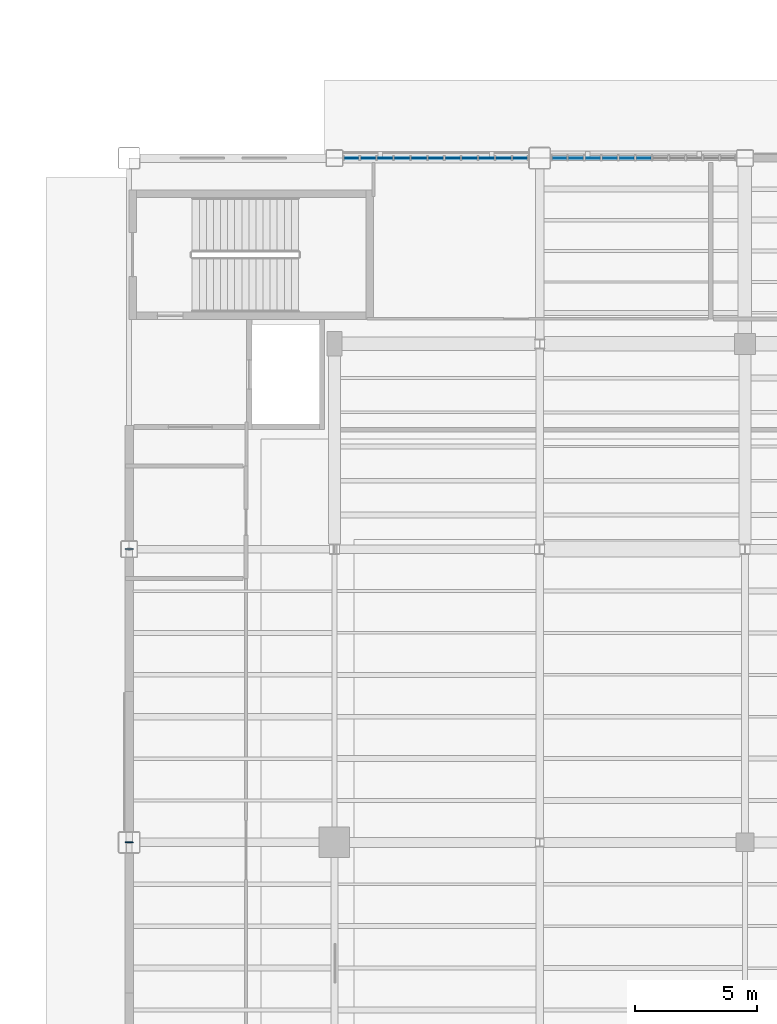
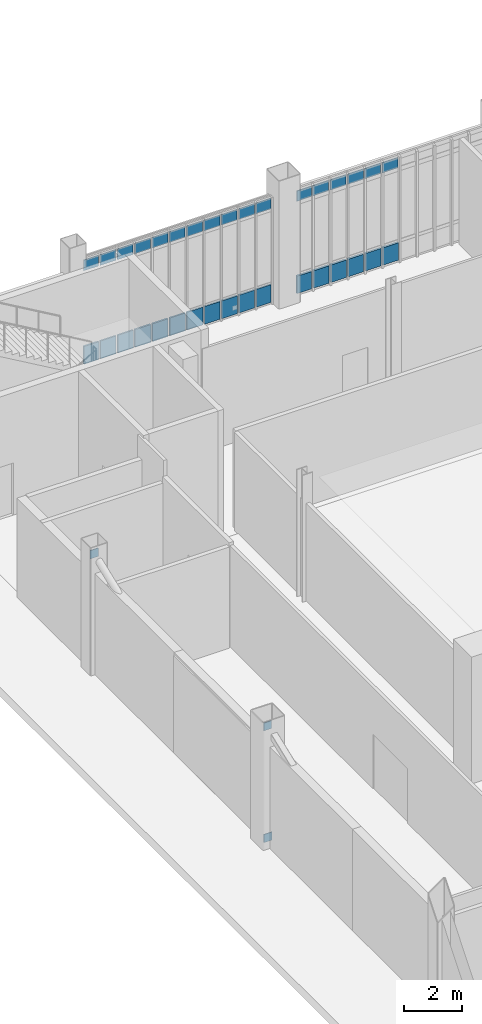
# One storey, part 77 of 111: 37 plates, 2 elements without a shape of their own.
"""IFC4 building model written with IfcOpenShell, lengths in metres."""

import ifcopenshell
import ifcopenshell.guid

model = None  # the IFC model being written
_history = None  # IfcOwnerHistory: only IFC2X3 demands one
_inside = {}  # id of a spatial element -> (the spatial element, [elements in it])
_under = {}  # id of a project, library or spatial element -> (it, [spatial elements below it])
_declared = {}  # id of a project -> (the project, [libraries it declares])
_typed = {}  # id of a type object -> (the type object, [elements of that type])
_made_of = {}  # id of a material, layer set ... -> (it, [elements and type objects made of it])


def new_model(schema):
    """Start an empty IFC model of exactly this schema.

    Asked for "IFC4X3", IfcOpenShell would pick the latest addendum, in which some entities
    have other attributes; the version numbers below select the first issue.
    IFC2X3 requires an IfcOwnerHistory on every rooted entity: one is made here for all.
    """
    global model, _history
    if schema == "IFC4X3":
        model = ifcopenshell.file(schema_version=(4, 3, 0, 0))
    else:
        model = ifcopenshell.file(schema=schema)
    _inside.clear()
    _under.clear()
    _declared.clear()
    _typed.clear()
    _made_of.clear()
    _history = None
    if model.schema == "IFC2X3":
        org = make("IfcOrganization", Name="unknown")
        user = make(
            "IfcPersonAndOrganization",
            ThePerson=make("IfcPerson", FamilyName="unknown"),
            TheOrganization=org,
        )
        app = make(
            "IfcApplication",
            ApplicationDeveloper=org,
            Version="unknown",
            ApplicationFullName="unknown",
            ApplicationIdentifier="unknown",
        )
        _history = make(
            "IfcOwnerHistory",
            OwningUser=user,
            OwningApplication=app,
            ChangeAction="ADDED",
            CreationDate=0,
        )
    return model


def make(cls, **values):
    """One entity of the class cls with the attributes given. An attribute that is None is left unset."""
    return model.create_entity(
        cls, **{name: value for name, value in values.items() if value is not None}
    )


def rooted(cls, **values):
    """An entity with a GlobalId (a new one), such as an element, a storey or a relation."""
    return make(cls, GlobalId=ifcopenshell.guid.new(), OwnerHistory=_history, **values)


def si_unit(unit_type, name, prefix=None):
    """IfcSIUnit, for example si_unit("LENGTHUNIT", "METRE", prefix="MILLI")."""
    return make("IfcSIUnit", UnitType=unit_type, Prefix=prefix, Name=name)


def assignment(units):
    """IfcUnitAssignment: the units of a project."""
    return None if units is None else make("IfcUnitAssignment", Units=units)


def point(xyz):
    """IfcCartesianPoint."""
    return None if xyz is None else make("IfcCartesianPoint", Coordinates=xyz)


def direction(xyz):
    """IfcDirection."""
    return None if xyz is None else make("IfcDirection", DirectionRatios=xyz)


def frame(location, z_axis=None, x_axis=None):
    """IfcAxis2Placement3D, a coordinate frame: its origin and axes. An axis left out is left unset."""
    return make(
        "IfcAxis2Placement3D",
        Location=point(location),
        Axis=direction(z_axis),
        RefDirection=direction(x_axis),
    )


def frame_2d(location, x_axis=None):
    """IfcAxis2Placement2D, a coordinate frame in the plane: its origin and x axis."""
    return make(
        "IfcAxis2Placement2D", Location=point(location), RefDirection=direction(x_axis)
    )


def origin():
    """The frame at (0, 0, 0) with its axes left unset."""
    return frame((0.0, 0.0, 0.0))


def origin_2d():
    """The frame at (0, 0) in the plane with its x axis left unset."""
    return frame_2d((0.0, 0.0))


def place(relative_to, where):
    """IfcLocalPlacement: puts the frame where relative to a parent placement (None: the world)."""
    return make(
        "IfcLocalPlacement", PlacementRelTo=relative_to, RelativePlacement=where
    )


def context(
    kind, dimensions, precision=None, world=None, true_north=None, identifier=None
):
    """IfcGeometricRepresentationContext, for example the 3D "Model" context."""
    return make(
        "IfcGeometricRepresentationContext",
        ContextIdentifier=identifier,
        ContextType=kind,
        CoordinateSpaceDimension=dimensions,
        Precision=precision,
        WorldCoordinateSystem=world,
        TrueNorth=true_north,
    )


def subcontext(parent, identifier, kind, view, scale=None):
    """IfcGeometricRepresentationSubContext, for example "Body" below "Model"."""
    return make(
        "IfcGeometricRepresentationSubContext",
        ContextIdentifier=identifier,
        ContextType=kind,
        ParentContext=parent,
        TargetScale=scale,
        TargetView=view,
    )


def project(units=None, contexts=None):
    """IfcProject with its units and contexts."""
    return rooted(
        "IfcProject",
        Name="project",
        RepresentationContexts=contexts,
        UnitsInContext=assignment(units),
    )


def spatial(cls, under=None, at=None, **own):
    """A site, building, storey or space (cls), placed at a placement, below another one or the project."""
    s = rooted(cls, ObjectPlacement=at, **own)
    if under is not None:
        _under.setdefault(under.id(), (under, []))[1].append(s)
    return s


def profile(cls, at=None, kind="AREA", **sizes):
    """A parametric profile (cls). Its sizes go by their IFC names, for example OverallWidth=200.0."""
    return make(cls, ProfileType=kind, Position=at, **sizes)


def rectangle(**sizes):
    """IfcRectangleProfileDef."""
    return profile("IfcRectangleProfileDef", **sizes)


def extrude(swept, where, along, depth):
    """IfcExtrudedAreaSolid: the profile swept, set in the frame where, extruded along a direction by depth."""
    return make(
        "IfcExtrudedAreaSolid",
        SweptArea=swept,
        Position=where,
        ExtrudedDirection=direction(along),
        Depth=depth,
    )


def shape(context_of_items, identifier, shape_type, items):
    """IfcShapeRepresentation: the items that make up one representation, for example the "Body"."""
    return make(
        "IfcShapeRepresentation",
        ContextOfItems=context_of_items,
        RepresentationIdentifier=identifier,
        RepresentationType=shape_type,
        Items=items,
    )


def material(Name=None, Category=None):
    """IfcMaterial."""
    return make("IfcMaterial", Name=Name, Category=Category)


def layer(
    of_material, thickness, ventilated=None, Name=None, Category=None, Priority=None
):
    """IfcMaterialLayer: one layer of a wall or slab, of a material (None: an air gap)."""
    return make(
        "IfcMaterialLayer",
        Material=of_material,
        LayerThickness=thickness,
        IsVentilated=ventilated,
        Name=Name,
        Category=Category,
        Priority=Priority,
    )


def layer_set(layers, Name=None):
    """IfcMaterialLayerSet."""
    return make("IfcMaterialLayerSet", MaterialLayers=layers, LayerSetName=Name)


def made_of(thing, what):
    """Note that an element or type object is made of a material, layer set ...; save() writes the relation."""
    if what is not None:
        _made_of.setdefault(what.id(), (what, []))[1].append(thing)
    return thing


def type_object(cls, material=None, **own):
    """A type object (cls), such as IfcWallType, which elements share."""
    return made_of(rooted(cls, **own), material)


def element(
    cls,
    number,
    at=None,
    inside=None,
    cuts=None,
    type_object=None,
    material=None,
    context=None,
    identifier="Body",
    shape_type=None,
    held_by="IfcProductDefinitionShape",
    body=None,
    shapes=None,
    **own,
):
    """One element of the class cls, such as IfcWall. Its Tag is "e" and its number.

    at: its placement. inside: the storey or other place that contains it. cuts: it is an
    opening in that element (IfcRelVoidsElement). A single representation is given by context,
    identifier, shape_type and body (its items); several are given by shapes. held_by: the class
    of the entity that holds the representations. save() writes the other relations.
    """
    e = rooted(cls, Tag="e%d" % number, ObjectPlacement=at, **own)
    if body is not None:
        shapes = [shape(context, identifier, shape_type, body)]
    if shapes is not None:
        e.Representation = make(held_by, Representations=shapes)
    if inside is not None:
        _inside.setdefault(inside.id(), (inside, []))[1].append(e)
    if cuts is not None:
        rooted(
            "IfcRelVoidsElement", RelatingBuildingElement=cuts, RelatedOpeningElement=e
        )
    if type_object is not None:
        _typed.setdefault(type_object.id(), (type_object, []))[1].append(e)
    return made_of(e, material)


def aggregate(whole, parts):
    """IfcRelAggregates: a whole, such as a stair, and the parts it consists of."""
    return rooted("IfcRelAggregates", RelatingObject=whole, RelatedObjects=parts)


def save(model, path):
    """Write the relations noted so far, then the file.

    IfcRelAggregates (storeys below a building ...), IfcRelContainedInSpatialStructure (elements
    in a storey), IfcRelDefinesByType, IfcRelAssociatesMaterial and IfcRelDeclares: one each for
    every whole, place, type object, material and project.
    """
    for whole, parts in _under.values():
        aggregate(whole, parts)
    for where, things in _inside.values():
        rooted(
            "IfcRelContainedInSpatialStructure",
            RelatedElements=things,
            RelatingStructure=where,
        )
    for kind, things in _typed.values():
        rooted("IfcRelDefinesByType", RelatedObjects=things, RelatingType=kind)
    for what, things in _made_of.values():
        rooted("IfcRelAssociatesMaterial", RelatedObjects=things, RelatingMaterial=what)
    for by, libraries in _declared.values():
        rooted("IfcRelDeclares", RelatingContext=by, RelatedDefinitions=libraries)
    model.write(path)


model = new_model("IFC4")

# Units and contexts
model_context = context("Model", 3, precision=1e-05, world=origin(), true_north=direction((0.0, 1.0)))
body_context = subcontext(model_context, "Body", "Model", "MODEL_VIEW")
ifc_project = project(units=[si_unit("LENGTHUNIT", "METRE"), si_unit("AREAUNIT", "SQUARE_METRE"), si_unit("VOLUMEUNIT", "CUBIC_METRE"), si_unit("PLANEANGLEUNIT", "RADIAN"), si_unit("MASSUNIT", "GRAM", prefix="KILO")], contexts=[model_context])

# Site, building, storey
site_placement = place(None, origin())
site = spatial("IfcSite", under=ifc_project, at=site_placement, CompositionType="ELEMENT")
building_placement = place(site_placement, origin())
building = spatial("IfcBuilding", under=site, at=building_placement, Name="Larkvane Passage Sports Hall", CompositionType="ELEMENT")
storey_placement = place(building_placement, origin())
storey = spatial("IfcBuildingStorey", under=building, at=storey_placement, Name="L00", CompositionType="ELEMENT", Elevation=0.0)

# Curtain wall, plates
ifc_material_1 = material(Name="Thermally broken aluminium and low-E glazing", Category="aluminium")
curtain_wall_type_1 = type_object("IfcCurtainWallType", Name="CW-UNIT-COURT", PredefinedType="USERDEFINED", material=ifc_material_1)
curtain_wall_1_placement = place(storey_placement, origin())
curtain_wall_1 = element("IfcCurtainWall", 1, at=curtain_wall_1_placement, inside=storey, type_object=curtain_wall_type_1, Name="Curtain wall CW5-L00-008", ObjectType="UNITISED CURTAIN WALL", PredefinedType="USERDEFINED")
ifc_material_2 = material(Name="Insulated aluminium spandrel panel", Category="aluminium")
ifc_layer_1 = layer(ifc_material_2, 0.06494140625)
ifc_layer_set_1 = layer_set([ifc_layer_1], Name="Insulated aluminium spandrel panel")
plate_type_1 = type_object("IfcPlateType", Name="CWP-SPD-65", PredefinedType="CURTAIN_PANEL", material=ifc_layer_set_1)
plate_1_placement = place(storey_placement, frame((43.907958984375, 91.60009765625, 0.06494140625), z_axis=(0.0, 0.0, 1.0), x_axis=(1.0, 0.0, 0.0)))
plate_1 = element("IfcPlate", 2, at=plate_1_placement, type_object=plate_type_1, Name="CW-01 panel 1.1", PredefinedType="CURTAIN_PANEL", context=body_context, shape_type="SweptSolid", body=[
    extrude(rectangle(XDim=0.59423828125, YDim=0.06494140625, at=origin_2d()), origin(), (0.0, 0.0, 1.0), 0.75244140625),
])
plate_2_placement = place(storey_placement, frame((44.58349609375, 91.60009765625, 0.06494140625), z_axis=(0.0, 0.0, 1.0), x_axis=(1.0, 0.0, 0.0)))
plate_2 = element("IfcPlate", 3, at=plate_2_placement, type_object=plate_type_1, Name="CW-01 panel 2.1", PredefinedType="CURTAIN_PANEL", context=body_context, shape_type="SweptSolid", body=[
    extrude(rectangle(XDim=0.626708984375, YDim=0.06494140625, at=origin_2d()), origin(), (0.0, 0.0, 1.0), 0.75244140625),
])
plate_3_placement = place(storey_placement, frame((45.275146484375, 91.60009765625, 0.06494140625), z_axis=(0.0, 0.0, 1.0), x_axis=(1.0, 0.0, 0.0)))
plate_3 = element("IfcPlate", 4, at=plate_3_placement, type_object=plate_type_1, Name="CW-01 panel 3.1", PredefinedType="CURTAIN_PANEL", context=body_context, shape_type="SweptSolid", body=[
    extrude(rectangle(XDim=0.626708984375, YDim=0.06494140625, at=origin_2d()), origin(), (0.0, 0.0, 1.0), 0.75244140625),
])
plate_4_placement = place(storey_placement, frame((45.966796875, 91.60009765625, 0.06494140625), z_axis=(0.0, 0.0, 1.0), x_axis=(1.0, 0.0, 0.0)))
plate_4 = element("IfcPlate", 5, at=plate_4_placement, type_object=plate_type_1, Name="CW-01 panel 4.1", PredefinedType="CURTAIN_PANEL", context=body_context, shape_type="SweptSolid", body=[
    extrude(rectangle(XDim=0.626708984375, YDim=0.06494140625, at=origin_2d()), origin(), (0.0, 0.0, 1.0), 0.75244140625),
])
plate_5_placement = place(storey_placement, frame((46.658447265625, 91.60009765625, 0.06494140625), z_axis=(0.0, 0.0, 1.0), x_axis=(1.0, 0.0, 0.0)))
plate_5 = element("IfcPlate", 6, at=plate_5_placement, type_object=plate_type_1, Name="CW-01 panel 5.1", PredefinedType="CURTAIN_PANEL", context=body_context, shape_type="SweptSolid", body=[
    extrude(rectangle(XDim=0.626708984375, YDim=0.06494140625, at=origin_2d()), origin(), (0.0, 0.0, 1.0), 0.75244140625),
])
plate_6_placement = place(storey_placement, frame((47.35009765625, 91.60009765625, 0.06494140625), z_axis=(0.0, 0.0, 1.0), x_axis=(1.0, 0.0, 0.0)))
plate_6 = element("IfcPlate", 7, at=plate_6_placement, type_object=plate_type_1, Name="CW-01 panel 6.1", PredefinedType="CURTAIN_PANEL", context=body_context, shape_type="SweptSolid", body=[
    extrude(rectangle(XDim=0.626708984375, YDim=0.06494140625, at=origin_2d()), origin(), (0.0, 0.0, 1.0), 0.75244140625),
])
plate_7_placement = place(storey_placement, frame((48.041748046875, 91.60009765625, 0.06494140625), z_axis=(0.0, 0.0, 1.0), x_axis=(1.0, 0.0, 0.0)))
plate_7 = element("IfcPlate", 8, at=plate_7_placement, type_object=plate_type_1, Name="CW-01 panel 7.1", PredefinedType="CURTAIN_PANEL", context=body_context, shape_type="SweptSolid", body=[
    extrude(rectangle(XDim=0.626708984375, YDim=0.06494140625, at=origin_2d()), origin(), (0.0, 0.0, 1.0), 0.75244140625),
])
plate_8_placement = place(storey_placement, frame((48.733154296875, 91.60009765625, 0.06494140625), z_axis=(0.0, 0.0, 1.0), x_axis=(1.0, 0.0, 0.0)))
plate_8 = element("IfcPlate", 9, at=plate_8_placement, type_object=plate_type_1, Name="CW-01 panel 8.1", PredefinedType="CURTAIN_PANEL", context=body_context, shape_type="SweptSolid", body=[
    extrude(rectangle(XDim=0.626708984375, YDim=0.06494140625, at=origin_2d()), origin(), (0.0, 0.0, 1.0), 0.75244140625),
])
plate_9_placement = place(storey_placement, frame((49.4248046875, 91.60009765625, 0.06494140625), z_axis=(0.0, 0.0, 1.0), x_axis=(1.0, 0.0, 0.0)))
plate_9 = element("IfcPlate", 10, at=plate_9_placement, type_object=plate_type_1, Name="CW-01 panel 9.1", PredefinedType="CURTAIN_PANEL", context=body_context, shape_type="SweptSolid", body=[
    extrude(rectangle(XDim=0.626708984375, YDim=0.06494140625, at=origin_2d()), origin(), (0.0, 0.0, 1.0), 0.75244140625),
])
plate_10_placement = place(storey_placement, frame((50.116455078125, 91.60009765625, 0.06494140625), z_axis=(0.0, 0.0, 1.0), x_axis=(1.0, 0.0, 0.0)))
plate_10 = element("IfcPlate", 11, at=plate_10_placement, type_object=plate_type_1, Name="CW-01 panel 10.1", PredefinedType="CURTAIN_PANEL", context=body_context, shape_type="SweptSolid", body=[
    extrude(rectangle(XDim=0.626708984375, YDim=0.06494140625, at=origin_2d()), origin(), (0.0, 0.0, 1.0), 0.75244140625),
])
plate_11_placement = place(storey_placement, frame((50.7919921875, 91.60009765625, 0.06494140625), z_axis=(0.0, 0.0, 1.0), x_axis=(1.0, 0.0, 0.0)))
plate_11 = element("IfcPlate", 12, at=plate_11_placement, type_object=plate_type_1, Name="CW-01 panel 11.1", PredefinedType="CURTAIN_PANEL", context=body_context, shape_type="SweptSolid", body=[
    extrude(rectangle(XDim=0.59423828125, YDim=0.06494140625, at=origin_2d()), origin(), (0.0, 0.0, 1.0), 0.75244140625),
])

curtain_wall_type_2 = type_object("IfcCurtainWallType", Name="CW-UNIT-VEIL", PredefinedType="USERDEFINED", material=ifc_material_1)
curtain_wall_2_placement = place(storey_placement, origin())
curtain_wall_2 = element("IfcCurtainWall", 13, at=curtain_wall_2_placement, inside=storey, type_object=curtain_wall_type_2, Name="Curtain wall CW5-L00-009", ObjectType="UNITISED CURTAIN WALL", PredefinedType="USERDEFINED")
ifc_material_3 = material(Name="Mineral-wool insulated spandrel cassette")
ifc_layer_2 = layer(ifc_material_3, 0.0849609375)
ifc_layer_set_2 = layer_set([ifc_layer_2], Name="Mineral-wool insulated spandrel cassette")
plate_type_2 = type_object("IfcPlateType", Name="CWP-SPD-85", PredefinedType="CURTAIN_PANEL", material=ifc_layer_set_2)
plate_12_placement = place(storey_placement, frame((52.41064453125, 91.60009765625, 0.0751953125), z_axis=(0.0, 0.0, 1.0), x_axis=(1.0, 0.0, 0.0)))
plate_12 = element("IfcPlate", 14, at=plate_12_placement, type_object=plate_type_2, Name="CW-02 panel 1.1", PredefinedType="CURTAIN_PANEL", context=body_context, shape_type="SweptSolid", body=[
    extrude(rectangle(XDim=0.5791015625, YDim=0.0849609375, at=origin_2d()), origin(), (0.0, 0.0, 1.0), 0.737548828125),
])
plate_13_placement = place(storey_placement, frame((53.08349609375, 91.60009765625, 0.0751953125), z_axis=(0.0, 0.0, 1.0), x_axis=(1.0, 0.0, 0.0)))
plate_13 = element("IfcPlate", 15, at=plate_13_placement, type_object=plate_type_2, Name="CW-02 panel 2.1", PredefinedType="CURTAIN_PANEL", context=body_context, shape_type="SweptSolid", body=[
    extrude(rectangle(XDim=0.61669921875, YDim=0.0849609375, at=origin_2d()), origin(), (0.0, 0.0, 1.0), 0.737548828125),
])
plate_14_placement = place(storey_placement, frame((53.775146484375, 91.60009765625, 0.0751953125), z_axis=(0.0, 0.0, 1.0), x_axis=(1.0, 0.0, 0.0)))
plate_14 = element("IfcPlate", 16, at=plate_14_placement, type_object=plate_type_2, Name="CW-02 panel 3.1", PredefinedType="CURTAIN_PANEL", context=body_context, shape_type="SweptSolid", body=[
    extrude(rectangle(XDim=0.61669921875, YDim=0.0849609375, at=origin_2d()), origin(), (0.0, 0.0, 1.0), 0.737548828125),
])
plate_15_placement = place(storey_placement, frame((54.466796875, 91.60009765625, 0.0751953125), z_axis=(0.0, 0.0, 1.0), x_axis=(1.0, 0.0, 0.0)))
plate_15 = element("IfcPlate", 17, at=plate_15_placement, type_object=plate_type_2, Name="CW-02 panel 4.1", PredefinedType="CURTAIN_PANEL", context=body_context, shape_type="SweptSolid", body=[
    extrude(rectangle(XDim=0.61669921875, YDim=0.0849609375, at=origin_2d()), origin(), (0.0, 0.0, 1.0), 0.737548828125),
])
plate_16_placement = place(storey_placement, frame((55.158447265625, 91.60009765625, 0.0751953125), z_axis=(0.0, 0.0, 1.0), x_axis=(1.0, 0.0, 0.0)))
plate_16 = element("IfcPlate", 18, at=plate_16_placement, type_object=plate_type_2, Name="CW-02 panel 5.1", PredefinedType="CURTAIN_PANEL", context=body_context, shape_type="SweptSolid", body=[
    extrude(rectangle(XDim=0.61669921875, YDim=0.0849609375, at=origin_2d()), origin(), (0.0, 0.0, 1.0), 0.737548828125),
])
plate_17_placement = place(storey_placement, frame((55.85009765625, 91.60009765625, 0.0751953125), z_axis=(0.0, 0.0, 1.0), x_axis=(1.0, 0.0, 0.0)))
plate_17 = element("IfcPlate", 19, at=plate_17_placement, type_object=plate_type_2, Name="CW-02 panel 6.1", PredefinedType="CURTAIN_PANEL", context=body_context, shape_type="SweptSolid", body=[
    extrude(rectangle(XDim=0.61669921875, YDim=0.0849609375, at=origin_2d()), origin(), (0.0, 0.0, 1.0), 0.737548828125),
])

# Plate
ifc_material_4 = material(Name="Solar-control low-E double glazing", Category="glass")
ifc_layer_3 = layer(ifc_material_4, 0.028076171875)
ifc_layer_set_3 = layer_set([ifc_layer_3], Name="Solar-control low-E double glazing")
plate_type_3 = type_object("IfcPlateType", Name="CWP-VIS-28", PredefinedType="CURTAIN_PANEL", material=ifc_layer_set_3)
plate_18_placement = place(storey_placement, frame((43.907958984375, 91.60009765625, 4.00048828125), z_axis=(0.0, 0.0, 1.0), x_axis=(1.0, 0.0, 0.0)))
plate_18 = element("IfcPlate", 20, at=plate_18_placement, type_object=plate_type_3, Name="CW-01 panel 1.3", PredefinedType="CURTAIN_PANEL", context=body_context, shape_type="SweptSolid", body=[
    extrude(rectangle(XDim=0.59423828125, YDim=0.028076171875, at=origin_2d()), origin(), (0.0, 0.0, 1.0), 0.452392578125),
])

plate_19_placement = place(storey_placement, frame((44.58349609375, 91.60009765625, 4.00048828125), z_axis=(0.0, 0.0, 1.0), x_axis=(1.0, 0.0, 0.0)))
plate_19 = element("IfcPlate", 21, at=plate_19_placement, type_object=plate_type_3, Name="CW-01 panel 2.3", PredefinedType="CURTAIN_PANEL", context=body_context, shape_type="SweptSolid", body=[
    extrude(rectangle(XDim=0.626708984375, YDim=0.028076171875, at=origin_2d()), origin(), (0.0, 0.0, 1.0), 0.452392578125),
])

plate_20_placement = place(storey_placement, frame((45.275146484375, 91.60009765625, 4.00048828125), z_axis=(0.0, 0.0, 1.0), x_axis=(1.0, 0.0, 0.0)))
plate_20 = element("IfcPlate", 22, at=plate_20_placement, type_object=plate_type_3, Name="CW-01 panel 3.3", PredefinedType="CURTAIN_PANEL", context=body_context, shape_type="SweptSolid", body=[
    extrude(rectangle(XDim=0.626708984375, YDim=0.028076171875, at=origin_2d()), origin(), (0.0, 0.0, 1.0), 0.452392578125),
])

plate_21_placement = place(storey_placement, frame((45.966796875, 91.60009765625, 4.00048828125), z_axis=(0.0, 0.0, 1.0), x_axis=(1.0, 0.0, 0.0)))
plate_21 = element("IfcPlate", 23, at=plate_21_placement, type_object=plate_type_3, Name="CW-01 panel 4.3", PredefinedType="CURTAIN_PANEL", context=body_context, shape_type="SweptSolid", body=[
    extrude(rectangle(XDim=0.626708984375, YDim=0.028076171875, at=origin_2d()), origin(), (0.0, 0.0, 1.0), 0.452392578125),
])

plate_22_placement = place(storey_placement, frame((46.658447265625, 91.60009765625, 4.00048828125), z_axis=(0.0, 0.0, 1.0), x_axis=(1.0, 0.0, 0.0)))
plate_22 = element("IfcPlate", 24, at=plate_22_placement, type_object=plate_type_3, Name="CW-01 panel 5.3", PredefinedType="CURTAIN_PANEL", context=body_context, shape_type="SweptSolid", body=[
    extrude(rectangle(XDim=0.626708984375, YDim=0.028076171875, at=origin_2d()), origin(), (0.0, 0.0, 1.0), 0.452392578125),
])

plate_23_placement = place(storey_placement, frame((47.35009765625, 91.60009765625, 4.00048828125), z_axis=(0.0, 0.0, 1.0), x_axis=(1.0, 0.0, 0.0)))
plate_23 = element("IfcPlate", 25, at=plate_23_placement, type_object=plate_type_3, Name="CW-01 panel 6.3", PredefinedType="CURTAIN_PANEL", context=body_context, shape_type="SweptSolid", body=[
    extrude(rectangle(XDim=0.626708984375, YDim=0.028076171875, at=origin_2d()), origin(), (0.0, 0.0, 1.0), 0.452392578125),
])

plate_24_placement = place(storey_placement, frame((48.041748046875, 91.60009765625, 4.00048828125), z_axis=(0.0, 0.0, 1.0), x_axis=(1.0, 0.0, 0.0)))
plate_24 = element("IfcPlate", 26, at=plate_24_placement, type_object=plate_type_3, Name="CW-01 panel 7.3", PredefinedType="CURTAIN_PANEL", context=body_context, shape_type="SweptSolid", body=[
    extrude(rectangle(XDim=0.626708984375, YDim=0.028076171875, at=origin_2d()), origin(), (0.0, 0.0, 1.0), 0.452392578125),
])

plate_25_placement = place(storey_placement, frame((48.733154296875, 91.60009765625, 4.00048828125), z_axis=(0.0, 0.0, 1.0), x_axis=(1.0, 0.0, 0.0)))
plate_25 = element("IfcPlate", 27, at=plate_25_placement, type_object=plate_type_3, Name="CW-01 panel 8.3", PredefinedType="CURTAIN_PANEL", context=body_context, shape_type="SweptSolid", body=[
    extrude(rectangle(XDim=0.626708984375, YDim=0.028076171875, at=origin_2d()), origin(), (0.0, 0.0, 1.0), 0.452392578125),
])

plate_26_placement = place(storey_placement, frame((49.4248046875, 91.60009765625, 4.00048828125), z_axis=(0.0, 0.0, 1.0), x_axis=(1.0, 0.0, 0.0)))
plate_26 = element("IfcPlate", 28, at=plate_26_placement, type_object=plate_type_3, Name="CW-01 panel 9.3", PredefinedType="CURTAIN_PANEL", context=body_context, shape_type="SweptSolid", body=[
    extrude(rectangle(XDim=0.626708984375, YDim=0.028076171875, at=origin_2d()), origin(), (0.0, 0.0, 1.0), 0.452392578125),
])

plate_27_placement = place(storey_placement, frame((50.116455078125, 91.60009765625, 4.00048828125), z_axis=(0.0, 0.0, 1.0), x_axis=(1.0, 0.0, 0.0)))
plate_27 = element("IfcPlate", 29, at=plate_27_placement, type_object=plate_type_3, Name="CW-01 panel 10.3", PredefinedType="CURTAIN_PANEL", context=body_context, shape_type="SweptSolid", body=[
    extrude(rectangle(XDim=0.626708984375, YDim=0.028076171875, at=origin_2d()), origin(), (0.0, 0.0, 1.0), 0.452392578125),
])

plate_28_placement = place(storey_placement, frame((50.7919921875, 91.60009765625, 4.00048828125), z_axis=(0.0, 0.0, 1.0), x_axis=(1.0, 0.0, 0.0)))
plate_28 = element("IfcPlate", 30, at=plate_28_placement, type_object=plate_type_3, Name="CW-01 panel 11.3", PredefinedType="CURTAIN_PANEL", context=body_context, shape_type="SweptSolid", body=[
    extrude(rectangle(XDim=0.59423828125, YDim=0.028076171875, at=origin_2d()), origin(), (0.0, 0.0, 1.0), 0.452392578125),
])

aggregate(curtain_wall_1, [plate_1, plate_18, plate_2, plate_19, plate_3, plate_20, plate_4, plate_21, plate_5, plate_22, plate_6, plate_23, plate_7, plate_24, plate_8, plate_25, plate_9, plate_26, plate_10, plate_27, plate_11, plate_28])

ifc_material_5 = material(Name="Laminated acoustic low-E glazing", Category="glass")
ifc_layer_4 = layer(ifc_material_5, 0.031982421875)
ifc_layer_set_4 = layer_set([ifc_layer_4], Name="Laminated acoustic low-E glazing")
plate_type_4 = type_object("IfcPlateType", Name="CWP-VIS-32", PredefinedType="CURTAIN_PANEL", material=ifc_layer_set_4)
plate_29_placement = place(storey_placement, frame((52.41064453125, 91.60009765625, 3.95556640625), z_axis=(0.0, 0.0, 1.0), x_axis=(1.0, 0.0, 0.0)))
plate_29 = element("IfcPlate", 31, at=plate_29_placement, type_object=plate_type_4, Name="CW-02 panel 1.3", PredefinedType="CURTAIN_PANEL", context=body_context, shape_type="SweptSolid", body=[
    extrude(rectangle(XDim=0.5791015625, YDim=0.031982421875, at=origin_2d()), origin(), (0.0, 0.0, 1.0), 0.4375),
])

plate_30_placement = place(storey_placement, frame((53.08349609375, 91.60009765625, 3.95556640625), z_axis=(0.0, 0.0, 1.0), x_axis=(1.0, 0.0, 0.0)))
plate_30 = element("IfcPlate", 32, at=plate_30_placement, type_object=plate_type_4, Name="CW-02 panel 2.3", PredefinedType="CURTAIN_PANEL", context=body_context, shape_type="SweptSolid", body=[
    extrude(rectangle(XDim=0.61669921875, YDim=0.031982421875, at=origin_2d()), origin(), (0.0, 0.0, 1.0), 0.4375),
])

plate_31_placement = place(storey_placement, frame((53.775146484375, 91.60009765625, 3.95556640625), z_axis=(0.0, 0.0, 1.0), x_axis=(1.0, 0.0, 0.0)))
plate_31 = element("IfcPlate", 33, at=plate_31_placement, type_object=plate_type_4, Name="CW-02 panel 3.3", PredefinedType="CURTAIN_PANEL", context=body_context, shape_type="SweptSolid", body=[
    extrude(rectangle(XDim=0.61669921875, YDim=0.031982421875, at=origin_2d()), origin(), (0.0, 0.0, 1.0), 0.4375),
])

plate_32_placement = place(storey_placement, frame((54.466796875, 91.60009765625, 3.95556640625), z_axis=(0.0, 0.0, 1.0), x_axis=(1.0, 0.0, 0.0)))
plate_32 = element("IfcPlate", 34, at=plate_32_placement, type_object=plate_type_4, Name="CW-02 panel 4.3", PredefinedType="CURTAIN_PANEL", context=body_context, shape_type="SweptSolid", body=[
    extrude(rectangle(XDim=0.61669921875, YDim=0.031982421875, at=origin_2d()), origin(), (0.0, 0.0, 1.0), 0.4375),
])

plate_33_placement = place(storey_placement, frame((55.158447265625, 91.60009765625, 3.95556640625), z_axis=(0.0, 0.0, 1.0), x_axis=(1.0, 0.0, 0.0)))
plate_33 = element("IfcPlate", 35, at=plate_33_placement, type_object=plate_type_4, Name="CW-02 panel 5.3", PredefinedType="CURTAIN_PANEL", context=body_context, shape_type="SweptSolid", body=[
    extrude(rectangle(XDim=0.61669921875, YDim=0.031982421875, at=origin_2d()), origin(), (0.0, 0.0, 1.0), 0.4375),
])

plate_34_placement = place(storey_placement, frame((55.85009765625, 91.60009765625, 3.95556640625), z_axis=(0.0, 0.0, 1.0), x_axis=(1.0, 0.0, 0.0)))
plate_34 = element("IfcPlate", 36, at=plate_34_placement, type_object=plate_type_4, Name="CW-02 panel 6.3", PredefinedType="CURTAIN_PANEL", context=body_context, shape_type="SweptSolid", body=[
    extrude(rectangle(XDim=0.61669921875, YDim=0.031982421875, at=origin_2d()), origin(), (0.0, 0.0, 1.0), 0.4375),
])

aggregate(curtain_wall_2, [plate_12, plate_29, plate_13, plate_30, plate_14, plate_31, plate_15, plate_32, plate_16, plate_33, plate_17, plate_34])

# Plates
ifc_material_6 = material(Name="Steel S355JR", Category="steel")
ifc_layer_5 = layer(ifc_material_6, 0.011962890625)
ifc_layer_set_5 = layer_set([ifc_layer_5], Name="Steel S355JR")
plate_type_5 = type_object("IfcPlateType", Name="PLT-CAP-12", PredefinedType="SHEET", material=ifc_layer_set_5)
plate_35_placement = place(storey_placement, frame((34.800048828125, 63.605712890625, 4.6884765625), z_axis=(0.0, 0.0, 1.0), x_axis=(-1.0, 0.0, 0.0)))
element("IfcPlate", 37, at=plate_35_placement, inside=storey, type_object=plate_type_5, Name="Hollow section sealed end cap plate 0557", PredefinedType="SHEET", context=body_context, shape_type="SweptSolid", body=[
    extrude(rectangle(XDim=0.31005859375, YDim=0.028076171875, at=origin_2d()), origin(), (0.0, 0.0, 1.0), 0.327880859375),
])
for number, where, z_axis, x_axis, name in (
    (38, (34.800048828125, 63.594482421875, -0.02587890625), (0.0, 0.0, 1.0), (-1.0, 0.0, 0.0), "Hollow section sealed end cap plate 0564"),
    (39, (34.800048828125, 75.605712890625, 4.6787109375), (0.0, 0.0, 1.0), (-1.0, 0.0, 0.0), "Hollow section sealed end cap plate 0565"),
):
    element("IfcPlate", number, at=place(storey_placement, frame(where, z_axis=z_axis, x_axis=x_axis)), inside=storey, type_object=plate_type_5, Name=name, PredefinedType="SHEET", context=body_context, shape_type="SweptSolid", body=[
        extrude(rectangle(XDim=0.326904296875, YDim=0.028076171875, at=origin_2d()), origin(), (0.0, 0.0, 1.0), 0.346923828125),
    ])

save(model, "model.ifc")
